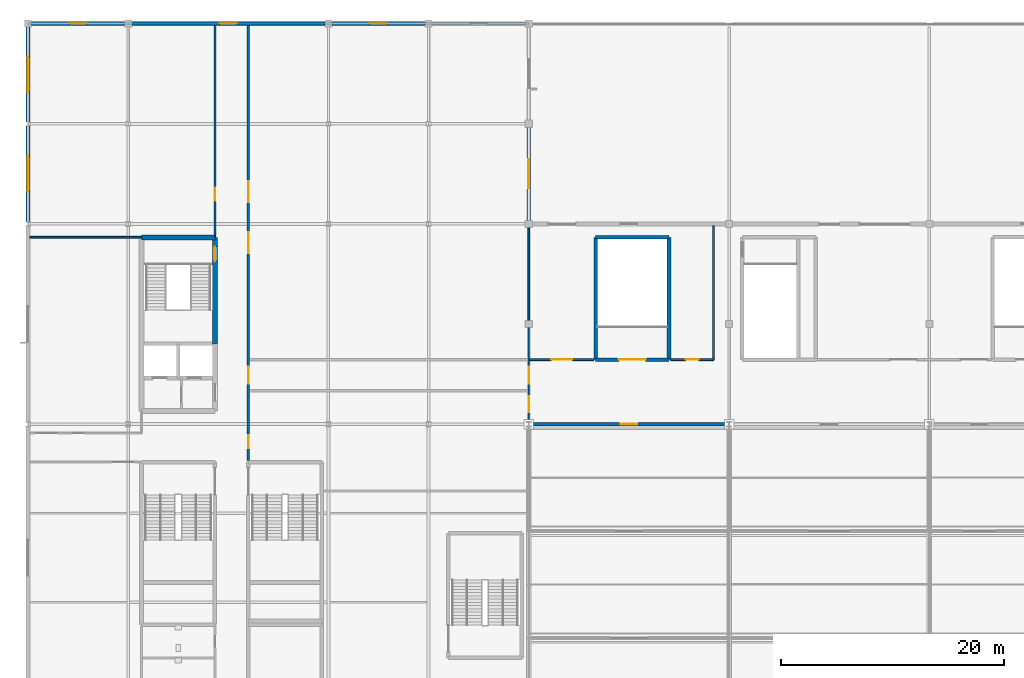
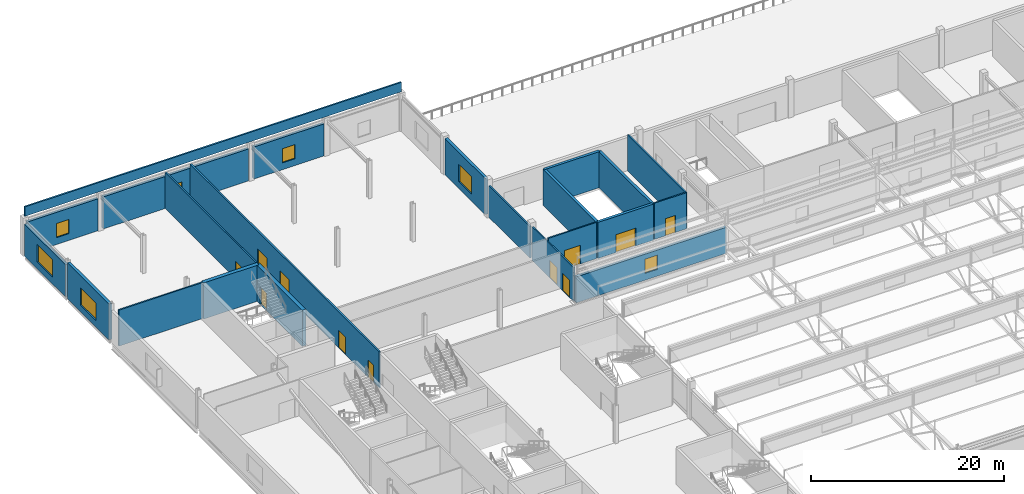
# One storey, part 100 of 136: 22 walls, 11 doors, 7 windows, 18 openings.
"""IFC4 building model written with IfcOpenShell, lengths in metres."""

from ifc_helpers import new_model, si_unit, direction, frame, frame_2d, origin, place, context, subcontext, project, spatial, rectangle, extrude, material, layer, layer_set, type_object, element, fill, save


model = new_model("IFC4")

# Units and contexts
model_context = context("Model", 3, precision=1e-05, world=origin(), true_north=direction((0.0, 1.0)))
body_context = subcontext(model_context, "Body", "Model", "MODEL_VIEW")
ifc_project = project(units=[si_unit("LENGTHUNIT", "METRE"), si_unit("AREAUNIT", "SQUARE_METRE"), si_unit("VOLUMEUNIT", "CUBIC_METRE"), si_unit("PLANEANGLEUNIT", "RADIAN"), si_unit("MASSUNIT", "GRAM", prefix="KILO")], contexts=[model_context])

# Site, building, storey
site_placement = place(None, origin())
site = spatial("IfcSite", under=ifc_project, at=site_placement, CompositionType="ELEMENT")
building_placement = place(site_placement, origin())
building = spatial("IfcBuilding", under=site, at=building_placement, Name="Kisiwana Market Hall", CompositionType="ELEMENT")
storey_placement = place(building_placement, frame((0.0, 0.0, 16.800048828125)))
storey = spatial("IfcBuildingStorey", under=building, at=storey_placement, Name="L03", CompositionType="ELEMENT", Elevation=16.800048828125)

# Wall, openings, doors
ifc_material_1 = material(Name="Masonry blockwork", Category="masonry")
ifc_layer_1 = layer(ifc_material_1, 0.199951171875, Name="Plastered fire compartment block wall")
ifc_layer_set_1 = layer_set([ifc_layer_1], Name="WL-COMP-200")
wall_type_1 = type_object("IfcWallType", Name="WL-COMP-200", PredefinedType="PARTITIONING", material=ifc_layer_set_1)
wall_1_placement = place(storey_placement, frame((19.800048828125, 80.760009765625, 0.0), z_axis=(0.0, 0.0, 1.0), x_axis=(0.0, 1.0, 0.0)))
wall_1 = element("IfcWall", 1, at=wall_1_placement, inside=storey, type_object=wall_type_1, Name="Interior partition W-1462", PredefinedType="PARTITIONING", context=body_context, shape_type="SweptSolid", body=[
    extrude(rectangle(XDim=39.070068359375, YDim=0.199951171875, at=frame_2d((19.53515625, 0.0))), origin(), (0.0, 0.0, 1.0), 4.554931640625),
])
opening_1_placement = place(wall_1_placement, frame((1.10009765625, 0.0, 0.0)))
opening_1 = element("IfcOpeningElement", 2, at=opening_1_placement, cuts=wall_1, Name="Opening DR-L03-057", PredefinedType="OPENING", context=body_context, shape_type="SweptSolid", body=[
    extrude(rectangle(XDim=1.14990234375, YDim=2.14990234375, at=frame_2d((0.574951171875, 1.074951171875))), frame((0.0, 0.11181640625, 0.0), z_axis=(0.0, -1.0, 0.0), x_axis=(1.0, 0.0, 0.0)), (0.0, 0.0, 1.0), 0.223876953125),
])
opening_2_placement = place(wall_1_placement, frame((6.889892578125, 0.0, 0.0)))
opening_2 = element("IfcOpeningElement", 3, at=opening_2_placement, cuts=wall_1, Name="Opening DR-L03-058", PredefinedType="OPENING", context=body_context, shape_type="SweptSolid", body=[
    extrude(rectangle(XDim=1.5, YDim=2.199951171875, at=frame_2d((0.75, 1.10009765625))), frame((0.0, 0.11181640625, 0.0), z_axis=(0.0, -1.0, 0.0), x_axis=(1.0, 0.0, 0.0)), (0.0, 0.0, 1.0), 0.223876953125),
])
opening_3_placement = place(wall_1_placement, frame((23.18994140625, 0.0, 0.0)))
opening_3 = element("IfcOpeningElement", 4, at=opening_3_placement, cuts=wall_1, Name="Opening DR-L03-059", PredefinedType="OPENING", context=body_context, shape_type="SweptSolid", body=[
    extrude(rectangle(XDim=1.89990234375, YDim=2.35009765625, at=frame_2d((0.949951171875, 1.175048828125))), frame((0.0, 0.11181640625, 0.0), z_axis=(0.0, -1.0, 0.0), x_axis=(1.0, 0.0, 0.0)), (0.0, 0.0, 1.0), 0.223876953125),
])
opening_4_placement = place(wall_1_placement, frame((18.5849609375, 0.0, 0.0)))
opening_4 = element("IfcOpeningElement", 5, at=opening_4_placement, cuts=wall_1, Name="Opening DR-L03-060", PredefinedType="OPENING", context=body_context, shape_type="SweptSolid", body=[
    extrude(rectangle(XDim=1.89990234375, YDim=2.35009765625, at=frame_2d((0.949951171875, 1.175048828125))), frame((0.0, 0.11181640625, 0.0), z_axis=(0.0, -1.0, 0.0), x_axis=(1.0, 0.0, 0.0)), (0.0, 0.0, 1.0), 0.223876953125),
])
ifc_material_2 = material(Name="Steel S275", Category="steel")
door_type_1 = type_object("IfcDoorType", Name="DR-CORR-FD60-1500", OperationType="DOUBLE_DOOR_SINGLE_SWING", PredefinedType="DOOR", material=ifc_material_2)
door_1_placement = place(opening_2_placement, origin())
door_1 = element("IfcDoor", 6, at=door_1_placement, inside=storey, type_object=door_type_1, Name="L03 W North Podium Link Corridor Door", OperationType="DOUBLE_DOOR_SINGLE_SWING", OverallHeight=2.199951171875, OverallWidth=1.5, PredefinedType="DOOR", context=body_context, shape_type="SweptSolid", body=[
    extrude(rectangle(XDim=1.5, YDim=2.199951171875, at=frame_2d((0.75, 1.10009765625))), frame((0.0, 0.02490234375, 0.0), z_axis=(0.0, -1.0, 0.0), x_axis=(1.0, 0.0, 0.0)), (0.0, 0.0, 1.0), 0.050048828125),
])
fill(opening_2, door_1)
ifc_material_3 = material(Name="Steel S275", Category="steel")
door_type_2 = type_object("IfcDoorType", Name="DR-HALL-1900", OperationType="DOUBLE_DOOR_SINGLE_SWING", PredefinedType="DOOR", material=ifc_material_3)
door_2_placement = place(opening_3_placement, frame((1.89990234375, 0.0, 0.0), z_axis=(0.0, 0.0, 1.0), x_axis=(-1.0, 0.0, 0.0)))
door_2 = element("IfcDoor", 7, at=door_2_placement, inside=storey, type_object=door_type_2, Name="L03 W Podium Terrace Lounge West Door", OperationType="DOUBLE_DOOR_SINGLE_SWING", OverallHeight=2.35009765625, OverallWidth=1.89990234375, PredefinedType="DOOR", context=body_context, shape_type="SweptSolid", body=[
    extrude(rectangle(XDim=1.89990234375, YDim=2.35009765625, at=frame_2d((0.949951171875, 1.175048828125))), frame((0.0, 0.02490234375, 0.0), z_axis=(0.0, -1.0, 0.0), x_axis=(1.0, 0.0, 0.0)), (0.0, 0.0, 1.0), 0.050048828125),
])
fill(opening_3, door_2)
door_3_placement = place(opening_4_placement, frame((1.89990234375, 0.0, 0.0), z_axis=(0.0, 0.0, 1.0), x_axis=(-1.0, 0.0, 0.0)))
door_3 = element("IfcDoor", 8, at=door_3_placement, inside=storey, type_object=door_type_2, Name="L03 W Civic Conference Hall Door", OperationType="DOUBLE_DOOR_SINGLE_SWING", OverallHeight=2.35009765625, OverallWidth=1.89990234375, PredefinedType="DOOR", context=body_context, shape_type="SweptSolid", body=[
    extrude(rectangle(XDim=1.89990234375, YDim=2.35009765625, at=frame_2d((0.949951171875, 1.175048828125))), frame((0.0, 0.02490234375, 0.0), z_axis=(0.0, -1.0, 0.0), x_axis=(1.0, 0.0, 0.0)), (0.0, 0.0, 1.0), 0.050048828125),
])
fill(opening_4, door_3)
ifc_material_4 = material(Name="Aluminium alloy 6063-T6", Category="aluminium")
door_type_3 = type_object("IfcDoorType", Name="DR-MEET-1150", OperationType="NOTDEFINED", PredefinedType="DOOR", material=ifc_material_4)
door_4_placement = place(opening_1_placement, frame((1.14990234375, 0.0, 0.0), z_axis=(0.0, 0.0, 1.0), x_axis=(-1.0, 0.0, 0.0)))
door_4 = element("IfcDoor", 9, at=door_4_placement, inside=storey, type_object=door_type_3, Name="L03 W Conference Breakout Studio Door", OperationType="SINGLE_SWING_RIGHT", OverallHeight=2.14990234375, OverallWidth=1.14990234375, PredefinedType="DOOR", context=body_context, shape_type="SweptSolid", body=[
    extrude(rectangle(XDim=1.14990234375, YDim=2.14990234375, at=frame_2d((0.574951171875, 1.074951171875))), frame((0.0, 0.02490234375, 0.0), z_axis=(0.0, -1.0, 0.0), x_axis=(1.0, 0.0, 0.0)), (0.0, 0.0, 1.0), 0.050048828125),
])
fill(opening_1, door_4)

# Wall, opening, door
ifc_material_5 = material(Name="Concrete C40/50", Category="concrete")
ifc_layer_2 = layer(ifc_material_5, 0.320068359375, Name="Reinforced concrete shaft wall")
ifc_layer_set_2 = layer_set([ifc_layer_2], Name="WL-CORE-320")
wall_type_2 = type_object("IfcWallType", Name="WL-CORE-320", PredefinedType="SHEAR", material=ifc_layer_set_2)
wall_2_placement = place(storey_placement, frame((51.0, 89.800048828125, 0.0), z_axis=(0.0, 0.0, 1.0), x_axis=(1.0, 0.0, 0.0)))
wall_2 = element("IfcWall", 10, at=wall_2_placement, inside=storey, type_object=wall_type_2, Name="Core N3 corridor shear wall W-1310", PredefinedType="SHEAR", context=body_context, shape_type="SweptSolid", body=[
    extrude(rectangle(XDim=6.60009765625, YDim=0.320068359375, at=frame_2d((3.300048828125, 0.0))), origin(), (0.0, 0.0, 1.0), 4.554931640625),
])
opening_5_placement = place(wall_2_placement, frame((2.10009765625, 0.0, 0.0)))
opening_5 = element("IfcOpeningElement", 11, at=opening_5_placement, cuts=wall_2, Name="Opening DR-L03-034", PredefinedType="OPENING", context=body_context, shape_type="SweptSolid", body=[
    extrude(rectangle(XDim=2.39990234375, YDim=2.25, at=frame_2d((1.199951171875, 1.125))), frame((0.0, 0.171875, 0.0), z_axis=(0.0, -1.0, 0.0), x_axis=(1.0, 0.0, 0.0)), (0.0, 0.0, 1.0), 0.343994140625),
])
ifc_material_6 = material(Name="Steel S275", Category="steel")
door_type_4 = type_object("IfcDoorType", Name="DR-STAIR-FD120-2400", OperationType="DOUBLE_DOOR_SINGLE_SWING", PredefinedType="DOOR", material=ifc_material_6)
door_5_placement = place(opening_5_placement, origin())
door_5 = element("IfcDoor", 12, at=door_5_placement, inside=storey, type_object=door_type_4, Name="Escape Stair N3 Fire Door (L03)", OperationType="DOUBLE_DOOR_SINGLE_SWING", OverallHeight=2.25, OverallWidth=2.39990234375, PredefinedType="DOOR", context=body_context, shape_type="SweptSolid", body=[
    extrude(rectangle(XDim=2.39990234375, YDim=2.25, at=frame_2d((1.199951171875, 1.125))), frame((0.0, 0.02490234375, 0.0), z_axis=(0.0, -1.0, 0.0), x_axis=(1.0, 0.0, 0.0)), (0.0, 0.0, 1.0), 0.050048828125),
])
fill(opening_5, door_5)

# Walls
wall_3_placement = place(storey_placement, frame((51.0, 100.800048828125, 0.0), z_axis=(0.0, 0.0, 1.0), x_axis=(1.0, 0.0, 0.0)))
element("IfcWall", 13, at=wall_3_placement, inside=storey, type_object=wall_type_2, Name="Core N3 outer shear wall W-1311", PredefinedType="SHEAR", context=body_context, shape_type="SweptSolid", body=[
    extrude(rectangle(XDim=6.60009765625, YDim=0.320068359375, at=frame_2d((3.300048828125, 0.0))), origin(), (0.0, 0.0, 1.0), 4.554931640625),
])
for number, where, z_axis, x_axis, name in (
    (14, (51.0, 89.800048828125, 0.0), (0.0, 0.0, 1.0), (0.0, 1.0, 0.0), "Core N3 west shear wall W-1312"),
    (15, (57.60009765625, 89.800048828125, 0.0), (0.0, 0.0, 1.0), (0.0, 1.0, 0.0), "Core N3 east shear wall W-1313"),
):
    element("IfcWall", number, at=place(storey_placement, frame(where, z_axis=z_axis, x_axis=x_axis)), inside=storey, type_object=wall_type_2, Name=name, PredefinedType="SHEAR", context=body_context, shape_type="SweptSolid", body=[
        extrude(rectangle(XDim=11.0, YDim=0.320068359375, at=frame_2d((5.5, 0.0))), origin(), (0.0, 0.0, 1.0), 4.554931640625),
    ])
ifc_material_7 = material(Name="Concrete C40/50", Category="concrete")
ifc_layer_3 = layer(ifc_material_7, 0.449951171875, Name="Reinforced concrete core wall")
ifc_layer_set_3 = layer_set([ifc_layer_3], Name="WL-CORE-450")
wall_type_3 = type_object("IfcWallType", Name="WL-CORE-450", PredefinedType="SHEAR", material=ifc_layer_set_3)
wall_4_placement = place(storey_placement, frame((10.199951171875, 100.800048828125, 0.0), z_axis=(0.0, 0.0, 1.0), x_axis=(1.0, 0.0, 0.0)))
element("IfcWall", 16, at=wall_4_placement, inside=storey, type_object=wall_type_3, Name="Core W1 north shear wall W-1194", PredefinedType="SHEAR", context=body_context, shape_type="SweptSolid", body=[
    extrude(rectangle(XDim=6.60009765625, YDim=0.449951171875, at=frame_2d((3.300048828125, 0.0))), origin(), (0.0, 0.0, 1.0), 4.554931640625),
])

# Wall, opening, door
wall_5_placement = place(storey_placement, frame((16.800048828125, 91.215087890625, 0.0), z_axis=(0.0, 0.0, 1.0), x_axis=(0.0, 1.0, 0.0)))
wall_5 = element("IfcWall", 17, at=wall_5_placement, inside=storey, type_object=wall_type_3, Name="Core W1 stair corridor shear wall W-1197", PredefinedType="SHEAR", context=body_context, shape_type="SweptSolid", body=[
    extrude(rectangle(XDim=9.5849609375, YDim=0.449951171875, at=frame_2d((4.79248046875, 0.0))), origin(), (0.0, 0.0, 1.0), 4.554931640625),
])
opening_6_placement = place(wall_5_placement, frame((7.43505859375, 0.0, 0.0)))
opening_6 = element("IfcOpeningElement", 18, at=opening_6_placement, cuts=wall_5, Name="Opening DR-L03-005", PredefinedType="OPENING", context=body_context, shape_type="SweptSolid", body=[
    extrude(rectangle(XDim=1.300048828125, YDim=2.199951171875, at=frame_2d((0.64990234375, 1.10009765625))), frame((0.0, 0.23681640625, 0.0), z_axis=(0.0, -1.0, 0.0), x_axis=(1.0, 0.0, 0.0)), (0.0, 0.0, 1.0), 0.473876953125),
])
ifc_material_8 = material(Name="Steel S275", Category="steel")
door_type_5 = type_object("IfcDoorType", Name="DR-STAIR-FD120-1300", OperationType="NOTDEFINED", PredefinedType="DOOR", material=ifc_material_8)
door_6_placement = place(opening_6_placement, origin())
door_6 = element("IfcDoor", 19, at=door_6_placement, inside=storey, type_object=door_type_5, Name="Escape Stair W1 Fire Door (L03)", OperationType="SINGLE_SWING_RIGHT", OverallHeight=2.199951171875, OverallWidth=1.300048828125, PredefinedType="DOOR", context=body_context, shape_type="SweptSolid", body=[
    extrude(rectangle(XDim=1.300048828125, YDim=2.199951171875, at=frame_2d((0.64990234375, 1.10009765625))), frame((0.0, 0.02490234375, 0.0), z_axis=(0.0, -1.0, 0.0), x_axis=(1.0, 0.0, 0.0)), (0.0, 0.0, 1.0), 0.050048828125),
])
fill(opening_6, door_6)

# Wall
ifc_material_9 = material(Name="Masonry blockwork", Category="masonry")
ifc_layer_4 = layer(ifc_material_9, 0.169921875, Name="Protected corridor partition")
ifc_layer_set_4 = layer_set([ifc_layer_4], Name="WL-CORR-170")
wall_type_4 = type_object("IfcWallType", Name="WL-CORR-170", PredefinedType="PARTITIONING", material=ifc_layer_set_4)
wall_6_placement = place(storey_placement, frame((0.169921875, 100.800048828125, 0.0), z_axis=(0.0, 0.0, 1.0), x_axis=(1.0, 0.0, 0.0)))
element("IfcWall", 20, at=wall_6_placement, inside=storey, type_object=wall_type_4, Name="Interior partition W-1449", PredefinedType="PARTITIONING", context=body_context, shape_type="SweptSolid", body=[
    extrude(rectangle(XDim=10.030029296875, YDim=0.169921875, at=frame_2d((5.01513671875, 0.0))), origin(), (0.0, 0.0, 1.0), 4.554931640625),
])

# Wall, opening, door
wall_7_placement = place(storey_placement, frame((16.800048828125, 100.800048828125, 0.0), z_axis=(0.0, 0.0, 1.0), x_axis=(0.0, 1.0, 0.0)))
wall_7 = element("IfcWall", 21, at=wall_7_placement, inside=storey, type_object=wall_type_4, Name="Interior partition W-1455", PredefinedType="PARTITIONING", context=body_context, shape_type="SweptSolid", body=[
    extrude(rectangle(XDim=19.030029296875, YDim=0.169921875, at=frame_2d((9.51513671875, 0.0))), origin(), (0.0, 0.0, 1.0), 4.554931640625),
])
opening_7_placement = place(wall_7_placement, frame((3.300048828125, 0.0, 0.0)))
opening_7 = element("IfcOpeningElement", 22, at=opening_7_placement, cuts=wall_7, Name="Opening DR-L03-051", PredefinedType="OPENING", context=body_context, shape_type="SweptSolid", body=[
    extrude(rectangle(XDim=1.14990234375, YDim=2.14990234375, at=frame_2d((0.574951171875, 1.074951171875))), frame((0.0, 0.096923828125, 0.0), z_axis=(0.0, -1.0, 0.0), x_axis=(1.0, 0.0, 0.0)), (0.0, 0.0, 1.0), 0.19384765625),
])
door_7_placement = place(opening_7_placement, origin())
door_7 = element("IfcDoor", 23, at=door_7_placement, inside=storey, type_object=door_type_3, Name="L03 W Corner Office Suite North Door", OperationType="SINGLE_SWING_LEFT", OverallHeight=2.14990234375, OverallWidth=1.14990234375, PredefinedType="DOOR", context=body_context, shape_type="SweptSolid", body=[
    extrude(rectangle(XDim=1.14990234375, YDim=2.14990234375, at=frame_2d((0.574951171875, 1.074951171875))), frame((0.0, 0.02490234375, 0.0), z_axis=(0.0, -1.0, 0.0), x_axis=(1.0, 0.0, 0.0)), (0.0, 0.0, 1.0), 0.050048828125),
])
fill(opening_7, door_7)

# Wall, openings, doors
wall_8_placement = place(storey_placement, frame((45.0, 84.219970703125, 0.0), z_axis=(0.0, 0.0, 1.0), x_axis=(0.0, 1.0, 0.0)))
wall_8 = element("IfcWall", 24, at=wall_8_placement, inside=storey, type_object=wall_type_4, Name="Interior partition W-1465", PredefinedType="PARTITIONING", context=body_context, shape_type="SweptSolid", body=[
    extrude(rectangle(XDim=8.56005859375, YDim=0.169921875, at=frame_2d((4.280029296875, 0.0))), origin(), (0.0, 0.0, 1.0), 4.258056640625),
])
opening_8_placement = place(wall_8_placement, frame((3.429931640625, 0.0, 0.0)))
opening_8 = element("IfcOpeningElement", 25, at=opening_8_placement, cuts=wall_8, Name="Opening DR-L03-062", PredefinedType="OPENING", context=body_context, shape_type="SweptSolid", body=[
    extrude(rectangle(XDim=1.5, YDim=2.199951171875, at=frame_2d((0.75, 1.10009765625))), frame((0.0, 0.096923828125, 0.0), z_axis=(0.0, -1.0, 0.0), x_axis=(1.0, 0.0, 0.0)), (0.0, 0.0, 1.0), 0.19384765625),
])
opening_9_placement = place(wall_8_placement, frame((0.85009765625, 0.0, 0.0)))
opening_9 = element("IfcOpeningElement", 26, at=opening_9_placement, cuts=wall_8, Name="Opening DR-L03-063", PredefinedType="OPENING", context=body_context, shape_type="SweptSolid", body=[
    extrude(rectangle(XDim=1.449951171875, YDim=2.199951171875, at=frame_2d((0.72509765625, 1.10009765625))), frame((0.0, 0.096923828125, 0.0), z_axis=(0.0, -1.0, 0.0), x_axis=(1.0, 0.0, 0.0)), (0.0, 0.0, 1.0), 0.19384765625),
])
door_8_placement = place(opening_8_placement, origin())
door_8 = element("IfcDoor", 27, at=door_8_placement, inside=storey, type_object=door_type_1, Name="L03 W North Spine Link Door", OperationType="DOUBLE_DOOR_SINGLE_SWING", OverallHeight=2.199951171875, OverallWidth=1.5, PredefinedType="DOOR", context=body_context, shape_type="SweptSolid", body=[
    extrude(rectangle(XDim=1.5, YDim=2.199951171875, at=frame_2d((0.75, 1.10009765625))), frame((0.0, 0.02490234375, 0.0), z_axis=(0.0, -1.0, 0.0), x_axis=(1.0, 0.0, 0.0)), (0.0, 0.0, 1.0), 0.050048828125),
])
fill(opening_8, door_8)
ifc_material_10 = material(Name="Hardwood timber", Category="wood")
door_type_6 = type_object("IfcDoorType", Name="DR-MEET-1450", OperationType="DOUBLE_DOOR_SINGLE_SWING", PredefinedType="DOOR", material=ifc_material_10)
door_9_placement = place(opening_9_placement, origin())
door_9 = element("IfcDoor", 28, at=door_9_placement, inside=storey, type_object=door_type_6, Name="L03 W Conference Breakout Studio Exit Door", OperationType="DOUBLE_DOOR_SINGLE_SWING", OverallHeight=2.199951171875, OverallWidth=1.449951171875, PredefinedType="DOOR", context=body_context, shape_type="SweptSolid", body=[
    extrude(rectangle(XDim=1.449951171875, YDim=2.199951171875, at=frame_2d((0.72509765625, 1.10009765625))), frame((0.0, 0.02490234375, 0.0), z_axis=(0.0, -1.0, 0.0), x_axis=(1.0, 0.0, 0.0)), (0.0, 0.0, 1.0), 0.050048828125),
])
fill(opening_9, door_9)

# Walls
wall_9_placement = place(storey_placement, frame((45.0, 93.219970703125, 0.0), z_axis=(0.0, 0.0, 1.0), x_axis=(0.0, 1.0, 0.0)))
element("IfcWall", 29, at=wall_9_placement, inside=storey, type_object=wall_type_4, Name="Interior partition W-1466", PredefinedType="PARTITIONING", context=body_context, shape_type="SweptSolid", body=[
    extrude(rectangle(XDim=8.56005859375, YDim=0.169921875, at=frame_2d((4.280029296875, 0.0))), origin(), (0.0, 0.0, 1.0), 4.001953125),
])
wall_10_placement = place(storey_placement, frame((61.60009765625, 89.800048828125, 0.0), z_axis=(0.0, 0.0, 1.0), x_axis=(0.0, 1.0, 0.0)))
element("IfcWall", 30, at=wall_10_placement, inside=storey, type_object=wall_type_4, Name="Interior partition W-1501", PredefinedType="PARTITIONING", context=body_context, shape_type="SweptSolid", body=[
    extrude(rectangle(XDim=12.030029296875, YDim=0.169921875, at=frame_2d((6.01513671875, 0.0))), origin(), (0.0, 0.0, 1.0), 4.554931640625),
])

# Wall, opening, door
wall_11_placement = place(storey_placement, frame((45.0849609375, 89.800048828125, 0.0), z_axis=(0.0, 0.0, 1.0), x_axis=(1.0, 0.0, 0.0)))
wall_11 = element("IfcWall", 31, at=wall_11_placement, inside=storey, type_object=wall_type_4, Name="Interior partition W-1502", PredefinedType="PARTITIONING", context=body_context, shape_type="SweptSolid", body=[
    extrude(rectangle(XDim=5.755126953125, YDim=0.169921875, at=frame_2d((2.87744140625, 0.0))), origin(), (0.0, 0.0, 1.0), 4.554931640625),
])
opening_10_placement = place(wall_11_placement, frame((1.927978515625, 0.0, 0.0)))
opening_10 = element("IfcOpeningElement", 32, at=opening_10_placement, cuts=wall_11, Name="Opening DR-L03-094", PredefinedType="OPENING", context=body_context, shape_type="SweptSolid", body=[
    extrude(rectangle(XDim=1.89990234375, YDim=2.35009765625, at=frame_2d((0.949951171875, 1.175048828125))), frame((0.0, 0.096923828125, 0.0), z_axis=(0.0, -1.0, 0.0), x_axis=(1.0, 0.0, 0.0)), (0.0, 0.0, 1.0), 0.19384765625),
])
door_10_placement = place(opening_10_placement, origin())
door_10 = element("IfcDoor", 33, at=door_10_placement, inside=storey, type_object=door_type_2, Name="L03 NW Terrace Lounge Door", OperationType="DOUBLE_DOOR_SINGLE_SWING", OverallHeight=2.35009765625, OverallWidth=1.89990234375, PredefinedType="DOOR", context=body_context, shape_type="SweptSolid", body=[
    extrude(rectangle(XDim=1.89990234375, YDim=2.35009765625, at=frame_2d((0.949951171875, 1.175048828125))), frame((0.0, 0.02490234375, 0.0), z_axis=(0.0, -1.0, 0.0), x_axis=(1.0, 0.0, 0.0)), (0.0, 0.0, 1.0), 0.050048828125),
])
fill(opening_10, door_10)

wall_12_placement = place(storey_placement, frame((57.760009765625, 89.800048828125, 0.0), z_axis=(0.0, 0.0, 1.0), x_axis=(1.0, 0.0, 0.0)))
wall_12 = element("IfcWall", 34, at=wall_12_placement, inside=storey, type_object=wall_type_4, Name="Interior partition W-1503", PredefinedType="PARTITIONING", context=body_context, shape_type="SweptSolid", body=[
    extrude(rectangle(XDim=3.840087890625, YDim=0.169921875, at=frame_2d((1.919921875, 0.0))), origin(), (0.0, 0.0, 1.0), 4.554931640625),
])
opening_11_placement = place(wall_12_placement, frame((1.35009765625, 0.0, 0.0)))
opening_11 = element("IfcOpeningElement", 35, at=opening_11_placement, cuts=wall_12, Name="Opening DR-L03-095", PredefinedType="OPENING", context=body_context, shape_type="SweptSolid", body=[
    extrude(rectangle(XDim=1.14990234375, YDim=2.14990234375, at=frame_2d((0.574951171875, 1.074951171875))), frame((0.0, 0.096923828125, 0.0), z_axis=(0.0, -1.0, 0.0), x_axis=(1.0, 0.0, 0.0)), (0.0, 0.0, 1.0), 0.19384765625),
])
door_11_placement = place(opening_11_placement, origin())
door_11 = element("IfcDoor", 36, at=door_11_placement, inside=storey, type_object=door_type_3, Name="L03 W North West Terrace Lounge Door", OperationType="SINGLE_SWING_RIGHT", OverallHeight=2.14990234375, OverallWidth=1.14990234375, PredefinedType="DOOR", context=body_context, shape_type="SweptSolid", body=[
    extrude(rectangle(XDim=1.14990234375, YDim=2.14990234375, at=frame_2d((0.574951171875, 1.074951171875))), frame((0.0, 0.02490234375, 0.0), z_axis=(0.0, -1.0, 0.0), x_axis=(1.0, 0.0, 0.0)), (0.0, 0.0, 1.0), 0.050048828125),
])
fill(opening_11, door_11)

# Wall, opening, window
ifc_material_11 = material(Name="Concrete C40/50 precast", Category="concrete")
ifc_layer_5 = layer(ifc_material_11, 0.14990234375, Name="Precast architectural concrete spandrel")
ifc_material_12 = material(Name="Mineral wool insulation")
ifc_layer_6 = layer(ifc_material_12, 0.090087890625, Name="Rockwool thermal insulation")
ifc_material_13 = material(Name="Masonry blockwork", Category="masonry")
ifc_layer_7 = layer(ifc_material_13, 0.10009765625, Name="Inner masonry block leaf")
ifc_layer_set_5 = layer_set([ifc_layer_5, ifc_layer_6, ifc_layer_7], Name="WL-EXT-PREC-340")
wall_type_5 = type_object("IfcWallType", Name="WL-EXT-PREC-340", PredefinedType="STANDARD", material=ifc_layer_set_5)
wall_13_placement = place(storey_placement, frame((45.010009765625, 84.0, 0.0), z_axis=(0.0, 0.0, 1.0), x_axis=(1.0, 0.0, 0.0)))
wall_13 = element("IfcWall", 37, at=wall_13_placement, inside=storey, type_object=wall_type_5, Name="Exterior wall W-1360", PredefinedType="STANDARD", context=body_context, shape_type="SweptSolid", body=[
    extrude(rectangle(XDim=17.97998046875, YDim=0.340087890625, at=frame_2d((8.989990234375, 0.0))), origin(), (0.0, 0.0, 1.0), 3.27685546875),
])
opening_12_placement = place(wall_13_placement, frame((8.239990234375, 0.0, 0.85009765625)))
opening_12 = element("IfcOpeningElement", 38, at=opening_12_placement, cuts=wall_13, Name="Opening WN-14", PredefinedType="OPENING", context=body_context, shape_type="SweptSolid", body=[
    extrude(rectangle(XDim=1.5, YDim=1.800048828125, at=frame_2d((0.75, 0.89990234375))), frame((0.0, 0.18212890625, 0.0), z_axis=(0.0, -1.0, 0.0), x_axis=(1.0, 0.0, 0.0)), (0.0, 0.0, 1.0), 0.364013671875),
])
ifc_material_14 = material(Name="Double-glazed solar-control low-E IGU", Category="glass")
window_type_1 = type_object("IfcWindowType", Name="WN-POD-1500x1800", PartitioningType="SINGLE_PANEL", PredefinedType="WINDOW", material=ifc_material_14)
window_1_placement = place(opening_12_placement, origin())
window_1 = element("IfcWindow", 39, at=window_1_placement, inside=storey, type_object=window_type_1, Name="Exterior window WN-091", OverallHeight=1.800048828125, OverallWidth=1.5, PartitioningType="SINGLE_PANEL", PredefinedType="WINDOW", context=body_context, shape_type="SweptSolid", body=[
    extrude(rectangle(XDim=1.5, YDim=1.800048828125, at=frame_2d((0.75, 0.89990234375))), frame((0.0, 0.030029296875, 0.0), z_axis=(0.0, -1.0, 0.0), x_axis=(1.0, 0.0, 0.0)), (0.0, 0.0, 1.0), 0.06005859375),
])
fill(opening_12, window_1)

wall_14_placement = place(storey_placement, frame((0.31689453125, 120.0, 0.0), z_axis=(0.0, 0.0, 1.0), x_axis=(1.0, 0.0, 0.0)))
wall_14 = element("IfcWall", 40, at=wall_14_placement, inside=storey, type_object=wall_type_5, Name="Exterior wall W-1374", PredefinedType="STANDARD", context=body_context, shape_type="SweptSolid", body=[
    extrude(rectangle(XDim=8.3662109375, YDim=0.340087890625, at=frame_2d((4.18310546875, 0.0))), origin(), (0.0, 0.0, 1.0), 4.0478515625),
])
opening_13_placement = place(wall_14_placement, frame((3.43310546875, 0.0, 0.85009765625)))
opening_13 = element("IfcOpeningElement", 41, at=opening_13_placement, cuts=wall_14, Name="Opening WN-14", PredefinedType="OPENING", context=body_context, shape_type="SweptSolid", body=[
    extrude(rectangle(XDim=1.5, YDim=1.800048828125, at=frame_2d((0.75, 0.89990234375))), frame((0.0, 0.18212890625, 0.0), z_axis=(0.0, -1.0, 0.0), x_axis=(1.0, 0.0, 0.0)), (0.0, 0.0, 1.0), 0.364013671875),
])
window_2_placement = place(opening_13_placement, origin())
window_2 = element("IfcWindow", 42, at=window_2_placement, inside=storey, type_object=window_type_1, Name="Exterior window WN-104", OverallHeight=1.800048828125, OverallWidth=1.5, PartitioningType="SINGLE_PANEL", PredefinedType="WINDOW", context=body_context, shape_type="SweptSolid", body=[
    extrude(rectangle(XDim=1.5, YDim=1.800048828125, at=frame_2d((0.75, 0.89990234375))), frame((0.0, 0.030029296875, 0.0), z_axis=(0.0, -1.0, 0.0), x_axis=(1.0, 0.0, 0.0)), (0.0, 0.0, 1.0), 0.06005859375),
])
fill(opening_13, window_2)

wall_15_placement = place(storey_placement, frame((9.31689453125, 120.0, 0.0), z_axis=(0.0, 0.0, 1.0), x_axis=(1.0, 0.0, 0.0)))
wall_15 = element("IfcWall", 43, at=wall_15_placement, inside=storey, type_object=wall_type_5, Name="Exterior wall W-1375", PredefinedType="STANDARD", context=body_context, shape_type="SweptSolid", body=[
    extrude(rectangle(XDim=17.3662109375, YDim=0.340087890625, at=frame_2d((8.68310546875, 0.0))), origin(), (0.0, 0.0, 1.0), 4.0478515625),
])
opening_14_placement = place(wall_15_placement, frame((7.93310546875, 0.0, 0.85009765625)))
opening_14 = element("IfcOpeningElement", 44, at=opening_14_placement, cuts=wall_15, Name="Opening WN-14", PredefinedType="OPENING", context=body_context, shape_type="SweptSolid", body=[
    extrude(rectangle(XDim=1.5, YDim=1.800048828125, at=frame_2d((0.75, 0.89990234375))), frame((0.0, 0.18212890625, 0.0), z_axis=(0.0, -1.0, 0.0), x_axis=(1.0, 0.0, 0.0)), (0.0, 0.0, 1.0), 0.364013671875),
])
window_3_placement = place(opening_14_placement, origin())
window_3 = element("IfcWindow", 45, at=window_3_placement, inside=storey, type_object=window_type_1, Name="Exterior window WN-105", OverallHeight=1.800048828125, OverallWidth=1.5, PartitioningType="SINGLE_PANEL", PredefinedType="WINDOW", context=body_context, shape_type="SweptSolid", body=[
    extrude(rectangle(XDim=1.5, YDim=1.800048828125, at=frame_2d((0.75, 0.89990234375))), frame((0.0, 0.030029296875, 0.0), z_axis=(0.0, -1.0, 0.0), x_axis=(1.0, 0.0, 0.0)), (0.0, 0.0, 1.0), 0.06005859375),
])
fill(opening_14, window_3)

wall_16_placement = place(storey_placement, frame((27.31689453125, 120.0, 0.0), z_axis=(0.0, 0.0, 1.0), x_axis=(1.0, 0.0, 0.0)))
wall_16 = element("IfcWall", 46, at=wall_16_placement, inside=storey, type_object=wall_type_5, Name="Exterior wall W-1376", PredefinedType="STANDARD", context=body_context, shape_type="SweptSolid", body=[
    extrude(rectangle(XDim=8.3662109375, YDim=0.340087890625, at=frame_2d((4.18310546875, 0.0))), origin(), (0.0, 0.0, 1.0), 4.0478515625),
])
opening_15_placement = place(wall_16_placement, frame((3.43310546875, 0.0, 0.85009765625)))
opening_15 = element("IfcOpeningElement", 47, at=opening_15_placement, cuts=wall_16, Name="Opening WN-14", PredefinedType="OPENING", context=body_context, shape_type="SweptSolid", body=[
    extrude(rectangle(XDim=1.5, YDim=1.800048828125, at=frame_2d((0.75, 0.89990234375))), frame((0.0, 0.18212890625, 0.0), z_axis=(0.0, -1.0, 0.0), x_axis=(1.0, 0.0, 0.0)), (0.0, 0.0, 1.0), 0.364013671875),
])
window_4_placement = place(opening_15_placement, origin())
window_4 = element("IfcWindow", 48, at=window_4_placement, inside=storey, type_object=window_type_1, Name="Exterior window WN-106", OverallHeight=1.800048828125, OverallWidth=1.5, PartitioningType="SINGLE_PANEL", PredefinedType="WINDOW", context=body_context, shape_type="SweptSolid", body=[
    extrude(rectangle(XDim=1.5, YDim=1.800048828125, at=frame_2d((0.75, 0.89990234375))), frame((0.0, 0.030029296875, 0.0), z_axis=(0.0, -1.0, 0.0), x_axis=(1.0, 0.0, 0.0)), (0.0, 0.0, 1.0), 0.06005859375),
])
fill(opening_15, window_4)

wall_17_placement = place(storey_placement, frame((0.0, 102.194091796875, 0.0), z_axis=(0.0, 0.0, 1.0), x_axis=(0.0, 1.0, 0.0)))
wall_17 = element("IfcWall", 49, at=wall_17_placement, inside=storey, type_object=wall_type_5, Name="Exterior wall W-1388", PredefinedType="STANDARD", context=body_context, shape_type="SweptSolid", body=[
    extrude(rectangle(XDim=8.6171875, YDim=0.340087890625, at=frame_2d((4.30859375, 0.0))), origin(), (0.0, 0.0, 1.0), 4.554931640625),
])
opening_16_placement = place(wall_17_placement, frame((2.708740234375, 0.0, 0.85009765625)))
opening_16 = element("IfcOpeningElement", 50, at=opening_16_placement, cuts=wall_17, Name="Opening WN-22", PredefinedType="OPENING", context=body_context, shape_type="SweptSolid", body=[
    extrude(rectangle(XDim=3.199951171875, YDim=2.199951171875, at=frame_2d((1.60009765625, 1.10009765625))), frame((0.0, 0.18212890625, 0.0), z_axis=(0.0, -1.0, 0.0), x_axis=(1.0, 0.0, 0.0)), (0.0, 0.0, 1.0), 0.364013671875),
])
ifc_material_15 = material(Name="Double-glazed solar-control low-E IGU", Category="glass")
window_type_2 = type_object("IfcWindowType", Name="WN-CONF-3200x2200", PartitioningType="SINGLE_PANEL", PredefinedType="WINDOW", material=ifc_material_15)
window_5_placement = place(opening_16_placement, origin())
window_5 = element("IfcWindow", 51, at=window_5_placement, inside=storey, type_object=window_type_2, Name="Exterior window WN-130", OverallHeight=2.199951171875, OverallWidth=3.199951171875, PartitioningType="SINGLE_PANEL", PredefinedType="WINDOW", context=body_context, shape_type="SweptSolid", body=[
    extrude(rectangle(XDim=3.199951171875, YDim=2.199951171875, at=frame_2d((1.60009765625, 1.10009765625))), frame((0.0, 0.030029296875, 0.0), z_axis=(0.0, -1.0, 0.0), x_axis=(1.0, 0.0, 0.0)), (0.0, 0.0, 1.0), 0.06005859375),
])
fill(opening_16, window_5)

wall_18_placement = place(storey_placement, frame((0.0, 111.188720703125, 0.0), z_axis=(0.0, 0.0, 1.0), x_axis=(0.0, 1.0, 0.0)))
wall_18 = element("IfcWall", 52, at=wall_18_placement, inside=storey, type_object=wall_type_5, Name="Exterior wall W-1389", PredefinedType="STANDARD", context=body_context, shape_type="SweptSolid", body=[
    extrude(rectangle(XDim=8.494384765625, YDim=0.340087890625, at=frame_2d((4.2470703125, 0.0))), origin(), (0.0, 0.0, 1.0), 4.0478515625),
])
opening_17_placement = place(wall_18_placement, frame((2.647216796875, 0.0, 0.85009765625)))
opening_17 = element("IfcOpeningElement", 53, at=opening_17_placement, cuts=wall_18, Name="Opening WN-22", PredefinedType="OPENING", context=body_context, shape_type="SweptSolid", body=[
    extrude(rectangle(XDim=3.199951171875, YDim=2.199951171875, at=frame_2d((1.60009765625, 1.10009765625))), frame((0.0, 0.18212890625, 0.0), z_axis=(0.0, -1.0, 0.0), x_axis=(1.0, 0.0, 0.0)), (0.0, 0.0, 1.0), 0.364013671875),
])
window_6_placement = place(opening_17_placement, origin())
window_6 = element("IfcWindow", 54, at=window_6_placement, inside=storey, type_object=window_type_2, Name="Exterior window WN-131", OverallHeight=2.199951171875, OverallWidth=3.199951171875, PartitioningType="SINGLE_PANEL", PredefinedType="WINDOW", context=body_context, shape_type="SweptSolid", body=[
    extrude(rectangle(XDim=3.199951171875, YDim=2.199951171875, at=frame_2d((1.60009765625, 1.10009765625))), frame((0.0, 0.030029296875, 0.0), z_axis=(0.0, -1.0, 0.0), x_axis=(1.0, 0.0, 0.0)), (0.0, 0.0, 1.0), 0.06005859375),
])
fill(opening_17, window_6)

wall_19_placement = place(storey_placement, frame((45.0, 102.31689453125, 0.0), z_axis=(0.0, 0.0, 1.0), x_axis=(0.0, 1.0, 0.0)))
wall_19 = element("IfcWall", 55, at=wall_19_placement, inside=storey, type_object=wall_type_5, Name="Exterior wall W-1394", PredefinedType="STANDARD", context=body_context, shape_type="SweptSolid", body=[
    extrude(rectangle(XDim=8.3662109375, YDim=0.340087890625, at=frame_2d((4.18310546875, 0.0))), origin(), (0.0, 0.0, 1.0), 4.554931640625),
])
opening_18_placement = place(wall_19_placement, frame((2.883056640625, 0.0, 0.85009765625)))
opening_18 = element("IfcOpeningElement", 56, at=opening_18_placement, cuts=wall_19, Name="Opening WN-16", PredefinedType="OPENING", context=body_context, shape_type="SweptSolid", body=[
    extrude(rectangle(XDim=2.60009765625, YDim=2.199951171875, at=frame_2d((1.300048828125, 1.10009765625))), frame((0.0, 0.18212890625, 0.0), z_axis=(0.0, -1.0, 0.0), x_axis=(1.0, 0.0, 0.0)), (0.0, 0.0, 1.0), 0.364013671875),
])
ifc_material_16 = material(Name="Double-glazed solar-control low-E IGU", Category="glass")
window_type_3 = type_object("IfcWindowType", Name="WN-EXH-2600x2200", PartitioningType="SINGLE_PANEL", PredefinedType="WINDOW", material=ifc_material_16)
window_7_placement = place(opening_18_placement, origin())
window_7 = element("IfcWindow", 57, at=window_7_placement, inside=storey, type_object=window_type_3, Name="Exterior window WN-114", OverallHeight=2.199951171875, OverallWidth=2.60009765625, PartitioningType="SINGLE_PANEL", PredefinedType="WINDOW", context=body_context, shape_type="SweptSolid", body=[
    extrude(rectangle(XDim=2.60009765625, YDim=2.199951171875, at=frame_2d((1.300048828125, 1.10009765625))), frame((0.0, 0.030029296875, 0.0), z_axis=(0.0, -1.0, 0.0), x_axis=(1.0, 0.0, 0.0)), (0.0, 0.0, 1.0), 0.06005859375),
])
fill(opening_18, window_7)

# Wall
ifc_material_17 = material(Name="Concrete C40/50", Category="concrete")
ifc_layer_8 = layer(ifc_material_17, 0.18994140625, Name="Podium edge upstand parapet")
ifc_layer_set_6 = layer_set([ifc_layer_8], Name="WL-PARA-190")
wall_type_6 = type_object("IfcWallType", Name="WL-PARA-190", PredefinedType="PARAPET", material=ifc_layer_set_6)
wall_20_placement = place(storey_placement, frame((0.0, 120.0, 4.800048828125), z_axis=(0.0, 0.0, 1.0), x_axis=(1.0, 0.0, 0.0)))
element("IfcWall", 58, at=wall_20_placement, inside=storey, type_object=wall_type_6, Name="Roof parapet wall W-1511", PredefinedType="PARAPET", context=body_context, shape_type="SweptSolid", body=[
    extrude(rectangle(XDim=45.0, YDim=0.18994140625, at=frame_2d((22.5, 0.0))), origin(), (0.0, 0.0, 1.0), 1.199951171875),
])

save(model, "model.ifc")
